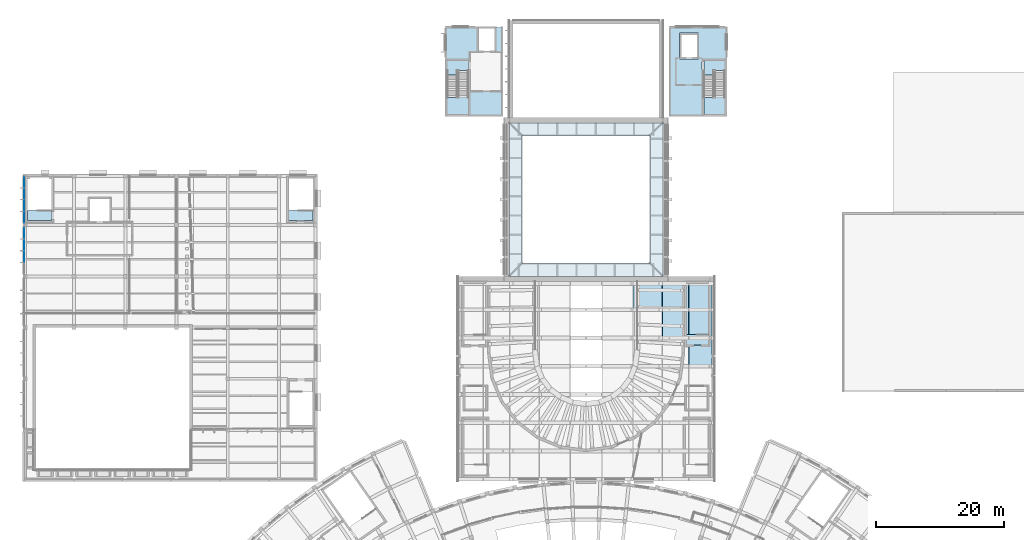
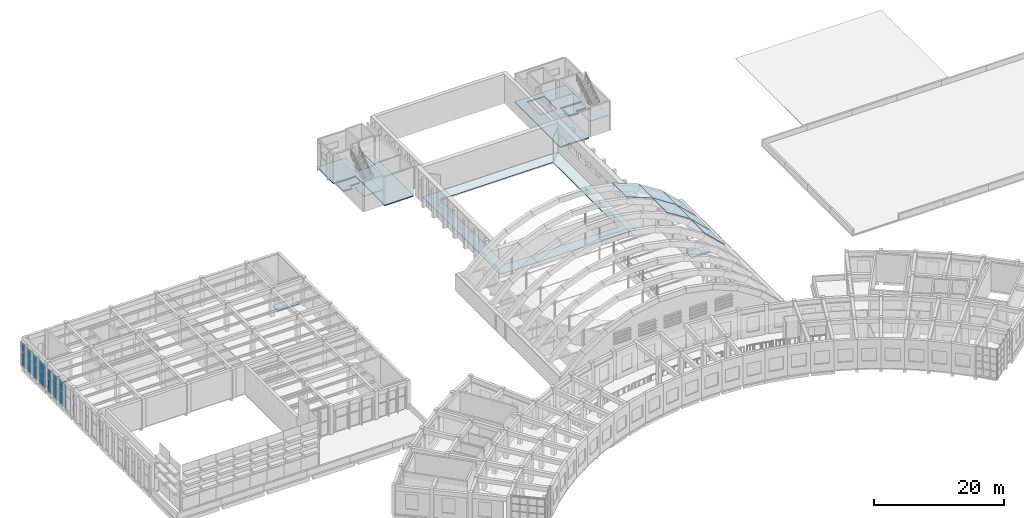
# One storey, part 57 of 94: 16 slabs, 14 plates, 4 elements without a shape of their own.
"""IFC4 building model written with IfcOpenShell, lengths in metres."""

from ifc_helpers import new_model, si_unit, direction, frame, origin, origin_2d, place, context, subcontext, project, spatial, polyline, rectangle, outline, extrude, material, layer, layer_set, type_object, element, aggregate, save


model = new_model("IFC4")

# Units and contexts
model_context = context("Model", 3, precision=1e-05, world=origin(), true_north=direction((0.0, 1.0)))
body_context = subcontext(model_context, "Body", "Model", "MODEL_VIEW")
ifc_project = project(units=[si_unit("LENGTHUNIT", "METRE"), si_unit("AREAUNIT", "SQUARE_METRE"), si_unit("VOLUMEUNIT", "CUBIC_METRE"), si_unit("PLANEANGLEUNIT", "RADIAN"), si_unit("MASSUNIT", "GRAM", prefix="KILO")], contexts=[model_context])

# Site, building, storey
site_placement = place(None, origin())
site = spatial("IfcSite", under=ifc_project, at=site_placement, CompositionType="ELEMENT")
building_placement = place(site_placement, origin())
building = spatial("IfcBuilding", under=site, at=building_placement, Name="Lunette Opera House", CompositionType="ELEMENT")
storey_placement = place(building_placement, frame((0.0, 0.0, 22.5)))
storey = spatial("IfcBuildingStorey", under=building, at=storey_placement, Name="L04", CompositionType="ELEMENT", Elevation=22.5)

# Slabs
ifc_material_1 = material(Name="Concrete C35/45", Category="concrete")
ifc_layer_1 = layer(ifc_material_1, 0.199951171875)
ifc_layer_set_1 = layer_set([ifc_layer_1], Name="Concrete C35/45")
slab_type_1 = type_object("IfcSlabType", Name="CORE LANDING SLAB 200", PredefinedType="LANDING", material=ifc_layer_set_1)
slab_1_placement = place(storey_placement, frame((0.0, 0.0, -0.199951171875)))
element("IfcSlab", 1, at=slab_1_placement, inside=storey, type_object=slab_type_1, Name="ST15 floor landing", PredefinedType="LANDING", context=body_context, shape_type="SweptSolid", body=[
    extrude(outline(polyline([(8.699951171875, 106.31005859375), (10.300048828125, 106.31005859375), (10.300048828125, 106.300048828125), (12.5, 106.300048828125), (12.5, 104.699951171875), (8.699951171875, 104.699951171875), (8.699951171875, 106.31005859375)])), origin(), (0.0, 0.0, 1.0), 0.199951171875),
])
slab_2_placement = place(storey_placement, frame((0.0, 0.0, -0.199951171875)))
element("IfcSlab", 2, at=slab_2_placement, inside=storey, type_object=slab_type_1, Name="ST17 floor landing", PredefinedType="LANDING", context=body_context, shape_type="SweptSolid", body=[
    extrude(outline(polyline([(53.3349609375, 106.300048828125), (53.3349609375, 104.699951171875), (49.5, 104.699951171875), (49.5, 106.31005859375), (51.10009765625, 106.31005859375), (51.10009765625, 106.300048828125), (53.3349609375, 106.300048828125)])), origin(), (0.0, 0.0, 1.0), 0.199951171875),
])
ifc_material_2 = material(Name="Concrete C35/45", Category="concrete")
ifc_layer_2 = layer(ifc_material_2, 0.219970703125)
ifc_layer_set_2 = layer_set([ifc_layer_2], Name="Concrete C35/45")
slab_type_2 = type_object("IfcSlabType", Name="CORE LANDING SLAB 220", PredefinedType="LANDING", material=ifc_layer_set_2)
slab_3_placement = place(storey_placement, frame((0.0, 0.0, -0.219970703125)))
element("IfcSlab", 3, at=slab_3_placement, inside=storey, type_object=slab_type_2, Name="ST11 floor landing", PredefinedType="LANDING", context=body_context, shape_type="SweptSolid", body=[
    extrude(outline(polyline([(77.60009765625, 129.699951171875), (77.60009765625, 128.139892578125), (76.050048828125, 128.139892578125), (76.050048828125, 128.14990234375), (75.85009765625, 128.14990234375), (75.85009765625, 127.449951171875), (74.300048828125, 127.449951171875), (74.300048828125, 129.699951171875), (77.60009765625, 129.699951171875)])), origin(), (0.0, 0.0, 1.0), 0.219970703125),
])
slab_4_placement = place(storey_placement, frame((0.0, 0.0, -0.219970703125)))
element("IfcSlab", 4, at=slab_4_placement, inside=storey, type_object=slab_type_2, Name="ST12 floor landing", PredefinedType="LANDING", context=body_context, shape_type="SweptSolid", body=[
    extrude(outline(polyline([(117.699951171875, 128.139892578125), (116.14990234375, 128.139892578125), (116.14990234375, 128.14990234375), (115.949951171875, 128.14990234375), (115.949951171875, 127.449951171875), (114.39990234375, 127.449951171875), (114.39990234375, 129.699951171875), (117.699951171875, 129.699951171875), (117.699951171875, 128.139892578125)])), origin(), (0.0, 0.0, 1.0), 0.219970703125),
])
ifc_material_3 = material(Name="Concrete C35/45", Category="concrete")
ifc_layer_3 = layer(ifc_material_3, 0.300048828125)
ifc_layer_set_3 = layer_set([ifc_layer_3], Name="Concrete C35/45")
slab_type_3 = type_object("IfcSlabType", Name="CORE LANDING SLAB 300", PredefinedType="LANDING", material=ifc_layer_set_3)
slab_5_placement = place(storey_placement, frame((0.0, 0.0, -0.300048828125)))
element("IfcSlab", 5, at=slab_5_placement, inside=storey, type_object=slab_type_3, Name="ST9 floor landing", PredefinedType="LANDING", context=body_context, shape_type="SweptSolid", body=[
    extrude(outline(polyline([(115.10009765625, 86.919921875), (115.10009765625, 85.300048828125), (111.699951171875, 85.300048828125), (111.699951171875, 86.929931640625), (113.320068359375, 86.929931640625), (113.320068359375, 86.919921875), (115.10009765625, 86.919921875)])), origin(), (0.0, 0.0, 1.0), 0.300048828125),
])

# Curtain wall, plates
ifc_material_4 = material(Name="Aluminium", Category="aluminium")
ifc_layer_4 = layer(ifc_material_4, 0.179931640625)
ifc_layer_set_4 = layer_set([ifc_layer_4], Name="Aluminium")
curtain_wall_type = type_object("IfcCurtainWallType", Name="SUN FACE CURTAIN WALL", PredefinedType="NOTDEFINED", material=ifc_layer_set_4)
curtain_wall_1_placement = place(storey_placement, origin())
curtain_wall_1 = element("IfcCurtainWall", 6, at=curtain_wall_1_placement, inside=storey, type_object=curtain_wall_type, Name="Sun Face Curtain Wall F15 L04", PredefinedType="NOTDEFINED")
ifc_material_5 = material(Name="Laminated glass", Category="glass")
ifc_layer_5 = layer(ifc_material_5, 0.028076171875)
ifc_layer_set_5 = layer_set([ifc_layer_5], Name="Laminated glass")
plate_type = type_object("IfcPlateType", Name="CURTAIN PANEL LAMINATED GLASS 28", PredefinedType="CURTAIN_PANEL", material=ifc_layer_set_5)
plate_1_placement = place(storey_placement, frame((8.181884765625, 110.706787109375, 0.06005859375), z_axis=(0.0, 0.0, 1.0), x_axis=(0.0, -1.0, 0.0)))
plate_1 = element("IfcPlate", 7, at=plate_1_placement, type_object=plate_type, Name="RW-X2061 panel 1.1", PredefinedType="CURTAIN_PANEL", context=body_context, shape_type="SweptSolid", body=[
    extrude(rectangle(XDim=1.736328125, YDim=0.028076171875, at=origin_2d()), origin(), (0.0, 0.0, 1.0), 2.534912109375),
])
plate_2_placement = place(storey_placement, frame((8.181884765625, 110.706787109375, 2.65478515625), z_axis=(0.0, 0.0, 1.0), x_axis=(0.0, -1.0, 0.0)))
plate_2 = element("IfcPlate", 8, at=plate_2_placement, type_object=plate_type, Name="RW-X2061 panel 1.2", PredefinedType="CURTAIN_PANEL", context=body_context, shape_type="SweptSolid", body=[
    extrude(rectangle(XDim=1.736328125, YDim=0.028076171875, at=origin_2d()), origin(), (0.0, 0.0, 1.0), 1.735107421875),
])
plate_3_placement = place(storey_placement, frame((8.181884765625, 108.8955078125, 0.06005859375), z_axis=(0.0, 0.0, 1.0), x_axis=(0.0, -1.0, 0.0)))
plate_3 = element("IfcPlate", 9, at=plate_3_placement, type_object=plate_type, Name="RW-X2061 panel 2.1", PredefinedType="CURTAIN_PANEL", context=body_context, shape_type="SweptSolid", body=[
    extrude(rectangle(XDim=1.766357421875, YDim=0.028076171875, at=origin_2d()), origin(), (0.0, 0.0, 1.0), 2.534912109375),
])
plate_4_placement = place(storey_placement, frame((8.181884765625, 108.8955078125, 2.65478515625), z_axis=(0.0, 0.0, 1.0), x_axis=(0.0, -1.0, 0.0)))
plate_4 = element("IfcPlate", 10, at=plate_4_placement, type_object=plate_type, Name="RW-X2061 panel 2.2", PredefinedType="CURTAIN_PANEL", context=body_context, shape_type="SweptSolid", body=[
    extrude(rectangle(XDim=1.766357421875, YDim=0.028076171875, at=origin_2d()), origin(), (0.0, 0.0, 1.0), 1.735107421875),
])
plate_5_placement = place(storey_placement, frame((8.181884765625, 107.0693359375, 0.06005859375), z_axis=(0.0, 0.0, 1.0), x_axis=(0.0, -1.0, 0.0)))
plate_5 = element("IfcPlate", 11, at=plate_5_placement, type_object=plate_type, Name="RW-X2061 panel 3.1", PredefinedType="CURTAIN_PANEL", context=body_context, shape_type="SweptSolid", body=[
    extrude(rectangle(XDim=1.766357421875, YDim=0.028076171875, at=origin_2d()), origin(), (0.0, 0.0, 1.0), 2.534912109375),
])
plate_6_placement = place(storey_placement, frame((8.181884765625, 107.0693359375, 2.65478515625), z_axis=(0.0, 0.0, 1.0), x_axis=(0.0, -1.0, 0.0)))
plate_6 = element("IfcPlate", 12, at=plate_6_placement, type_object=plate_type, Name="RW-X2061 panel 3.2", PredefinedType="CURTAIN_PANEL", context=body_context, shape_type="SweptSolid", body=[
    extrude(rectangle(XDim=1.766357421875, YDim=0.028076171875, at=origin_2d()), origin(), (0.0, 0.0, 1.0), 1.735107421875),
])
plate_7_placement = place(storey_placement, frame((8.181884765625, 105.258056640625, 0.06005859375), z_axis=(0.0, 0.0, 1.0), x_axis=(0.0, -1.0, 0.0)))
plate_7 = element("IfcPlate", 13, at=plate_7_placement, type_object=plate_type, Name="RW-X2061 panel 4.1", PredefinedType="CURTAIN_PANEL", context=body_context, shape_type="SweptSolid", body=[
    extrude(rectangle(XDim=1.736328125, YDim=0.028076171875, at=origin_2d()), origin(), (0.0, 0.0, 1.0), 2.534912109375),
])
plate_8_placement = place(storey_placement, frame((8.181884765625, 105.258056640625, 2.65478515625), z_axis=(0.0, 0.0, 1.0), x_axis=(0.0, -1.0, 0.0)))
plate_8 = element("IfcPlate", 14, at=plate_8_placement, type_object=plate_type, Name="RW-X2061 panel 4.2", PredefinedType="CURTAIN_PANEL", context=body_context, shape_type="SweptSolid", body=[
    extrude(rectangle(XDim=1.736328125, YDim=0.028076171875, at=origin_2d()), origin(), (0.0, 0.0, 1.0), 1.735107421875),
])
aggregate(curtain_wall_1, [plate_1, plate_2, plate_3, plate_4, plate_5, plate_6, plate_7, plate_8])

curtain_wall_2_placement = place(storey_placement, origin())
curtain_wall_2 = element("IfcCurtainWall", 15, at=curtain_wall_2_placement, inside=storey, type_object=curtain_wall_type, Name="Sun Face Curtain Wall F16 L04", PredefinedType="NOTDEFINED")
plate_9_placement = place(storey_placement, frame((8.181884765625, 102.737548828125, 0.06005859375), z_axis=(0.0, 0.0, 1.0), x_axis=(0.0, -1.0, 0.0)))
plate_9 = element("IfcPlate", 16, at=plate_9_placement, type_object=plate_type, Name="RW-X2062 panel 1.1", PredefinedType="CURTAIN_PANEL", context=body_context, shape_type="SweptSolid", body=[
    extrude(rectangle(XDim=1.7451171875, YDim=0.028076171875, at=origin_2d()), origin(), (0.0, 0.0, 1.0), 2.534912109375),
])
plate_10_placement = place(storey_placement, frame((8.181884765625, 102.737548828125, 2.65478515625), z_axis=(0.0, 0.0, 1.0), x_axis=(0.0, -1.0, 0.0)))
plate_10 = element("IfcPlate", 17, at=plate_10_placement, type_object=plate_type, Name="RW-X2062 panel 1.2", PredefinedType="CURTAIN_PANEL", context=body_context, shape_type="SweptSolid", body=[
    extrude(rectangle(XDim=1.7451171875, YDim=0.028076171875, at=origin_2d()), origin(), (0.0, 0.0, 1.0), 1.735107421875),
])
plate_11_placement = place(storey_placement, frame((8.181884765625, 100.91748046875, 0.06005859375), z_axis=(0.0, 0.0, 1.0), x_axis=(0.0, -1.0, 0.0)))
plate_11 = element("IfcPlate", 18, at=plate_11_placement, type_object=plate_type, Name="RW-X2062 panel 2.1", PredefinedType="CURTAIN_PANEL", context=body_context, shape_type="SweptSolid", body=[
    extrude(rectangle(XDim=1.77490234375, YDim=0.028076171875, at=origin_2d()), origin(), (0.0, 0.0, 1.0), 2.534912109375),
])
plate_12_placement = place(storey_placement, frame((8.181884765625, 100.91748046875, 2.65478515625), z_axis=(0.0, 0.0, 1.0), x_axis=(0.0, -1.0, 0.0)))
plate_12 = element("IfcPlate", 19, at=plate_12_placement, type_object=plate_type, Name="RW-X2062 panel 2.2", PredefinedType="CURTAIN_PANEL", context=body_context, shape_type="SweptSolid", body=[
    extrude(rectangle(XDim=1.77490234375, YDim=0.028076171875, at=origin_2d()), origin(), (0.0, 0.0, 1.0), 1.735107421875),
])
plate_13_placement = place(storey_placement, frame((8.181884765625, 99.08251953125, 0.06005859375), z_axis=(0.0, 0.0, 1.0), x_axis=(0.0, -1.0, 0.0)))
plate_13 = element("IfcPlate", 20, at=plate_13_placement, type_object=plate_type, Name="RW-X2062 panel 3.1", PredefinedType="CURTAIN_PANEL", context=body_context, shape_type="SweptSolid", body=[
    extrude(rectangle(XDim=1.77490234375, YDim=0.028076171875, at=origin_2d()), origin(), (0.0, 0.0, 1.0), 2.534912109375),
])
plate_14_placement = place(storey_placement, frame((8.181884765625, 99.08251953125, 2.65478515625), z_axis=(0.0, 0.0, 1.0), x_axis=(0.0, -1.0, 0.0)))
plate_14 = element("IfcPlate", 21, at=plate_14_placement, type_object=plate_type, Name="RW-X2062 panel 3.2", PredefinedType="CURTAIN_PANEL", context=body_context, shape_type="SweptSolid", body=[
    extrude(rectangle(XDim=1.77490234375, YDim=0.028076171875, at=origin_2d()), origin(), (0.0, 0.0, 1.0), 1.735107421875),
])
aggregate(curtain_wall_2, [plate_9, plate_10, plate_11, plate_12, plate_13, plate_14])

# Slabs
ifc_material_6 = material(Name="Concrete C35/45", Category="concrete")
ifc_layer_6 = layer(ifc_material_6, 0.219970703125)
ifc_layer_set_6 = layer_set([ifc_layer_6], Name="Concrete C35/45")
slab_type_4 = type_object("IfcSlabType", Name="FLOOR SLAB 220", PredefinedType="FLOOR", material=ifc_layer_set_6)
slab_6_placement = place(storey_placement, frame((0.0, 0.0, -0.219970703125)))
element("IfcSlab", 22, at=slab_6_placement, inside=storey, type_object=slab_type_4, Name="slab-ST-L04-F1", PredefinedType="FLOOR", context=body_context, shape_type="SweptSolid", body=[
    extrude(outline(polyline([(78.949951171875, 135.0), (74.0, 135.0), (74.0, 130.0), (77.89990234375, 130.0), (77.89990234375, 121.0), (83.0, 121.0), (83.0, 135.0), (81.949951171875, 135.0), (81.949951171875, 131.0), (78.949951171875, 131.0), (78.949951171875, 135.0)])), origin(), (0.0, 0.0, 1.0), 0.219970703125),
])
slab_7_placement = place(storey_placement, frame((0.0, 0.0, -0.219970703125)))
element("IfcSlab", 23, at=slab_7_placement, inside=storey, type_object=slab_type_4, Name="slab-ST-L04-F2", PredefinedType="FLOOR", context=body_context, shape_type="SweptSolid", body=[
    extrude(outline(polyline([(109.0, 121.0), (114.10009765625, 121.0), (114.10009765625, 130.0), (118.0, 130.0), (118.0, 135.0), (109.0, 135.0), (109.0, 121.0)]), holes=[polyline([(110.60009765625, 130.0), (110.60009765625, 134.0), (113.60009765625, 134.0), (113.60009765625, 130.0), (110.60009765625, 130.0)])]), origin(), (0.0, 0.0, 1.0), 0.219970703125),
])
ifc_material_7 = material(Name="Steel S235 grating", Category="steel")
ifc_layer_7 = layer(ifc_material_7, 0.06005859375)
ifc_layer_set_7 = layer_set([ifc_layer_7], Name="Steel S235 grating")
slab_type_5 = type_object("IfcSlabType", Name="GALLERY GRATING 60", PredefinedType="LANDING", material=ifc_layer_set_7)
slab_8_placement = place(storey_placement, frame((0.0, 0.0, -0.06005859375)))
element("IfcSlab", 24, at=slab_8_placement, inside=storey, type_object=slab_type_5, Name="slab-ST-L04-FG3-1", PredefinedType="LANDING", context=body_context, shape_type="SweptSolid", body=[
    extrude(outline(polyline([(84.0, 96.0), (108.0, 96.0), (108.0, 120.0), (84.0, 120.0), (84.0, 96.0)]), holes=[polyline([(106.0, 118.0), (106.0, 98.0), (86.0, 98.0), (86.0, 118.0), (106.0, 118.0)])]), origin(), (0.0, 0.0, 1.0), 0.06005859375),
])
ifc_material_8 = material(Name="Concrete C40/50", Category="concrete")
ifc_layer_8 = layer(ifc_material_8, 0.1201171875)
ifc_layer_set_8 = layer_set([ifc_layer_8], Name="Concrete C40/50")
slab_type_6 = type_object("IfcSlabType", Name="SHELL STRIP 120", PredefinedType="ROOF", material=ifc_layer_set_8)
slab_9_placement = place(storey_placement, frame((112.114013671875, 81.95703125, 6.4208984375), z_axis=(0.690260134545, 0.0, 0.723561294333), x_axis=(0.723561294333, 0.0, -0.690260134545)))
element("IfcSlab", 25, at=slab_9_placement, inside=storey, type_object=slab_type_6, Name="slab-AU-L04-BS5-9", PredefinedType="ROOF", context=body_context, shape_type="SweptSolid", body=[
    extrude(outline(polyline([(0.0, 0.0), (4.955955394633429, 0.0), (4.955955394633429, 4.4140625), (0.0, 4.4140625), (0.0, 0.0)])), origin(), (0.0, 0.0, -1.0), 0.1201171875),
])
slab_10_placement = place(storey_placement, frame((107.945068359375, 86.37109375, 9.10107421875), z_axis=(0.540777508608, 0.0, 0.841165671068), x_axis=(0.841165671068, 0.0, -0.540777508608)))
element("IfcSlab", 26, at=slab_10_placement, inside=storey, type_object=slab_type_6, Name="slab-AU-L04-BS6-8", PredefinedType="ROOF", context=body_context, shape_type="SweptSolid", body=[
    extrude(outline(polyline([(0.0, 0.0), (4.956152463051835, 0.0), (4.956152463051835, 4.414794921875), (0.0, 4.414794921875), (0.0, 0.0)])), origin(), (0.0, 0.0, -1.0), 0.1201171875),
])
slab_11_placement = place(storey_placement, frame((112.114013671875, 86.37109375, 6.4208984375), z_axis=(0.690260134545, 0.0, 0.723561294333), x_axis=(0.723561294333, 0.0, -0.690260134545)))
element("IfcSlab", 27, at=slab_11_placement, inside=storey, type_object=slab_type_6, Name="slab-AU-L04-BS6-9", PredefinedType="ROOF", context=body_context, shape_type="SweptSolid", body=[
    extrude(outline(polyline([(0.0, 0.0), (4.955955394633429, 0.0), (4.955955394633429, 4.414794921874999), (0.0, 4.414794921874999), (0.0, 0.0)])), origin(), (0.0, 0.0, -1.0), 0.1201171875),
])
slab_12_placement = place(storey_placement, frame((103.343994140625, 90.785888671875, 10.944091796875), z_axis=(0.371840739354, 0.0, 0.928296539128), x_axis=(0.928296539128, 0.0, -0.371840739354)))
element("IfcSlab", 28, at=slab_12_placement, inside=storey, type_object=slab_type_6, Name="slab-AU-L04-BS7-7", PredefinedType="ROOF", context=body_context, shape_type="SweptSolid", body=[
    extrude(outline(polyline([(0.0, 0.0), (4.9564702924282384, 0.0), (4.9564702924282384, 4.4140625), (0.0, 4.4140625), (0.0, 0.0)])), origin(), (0.0, 0.0, -1.0), 0.1201171875),
])
slab_13_placement = place(storey_placement, frame((107.945068359375, 90.785888671875, 9.10107421875), z_axis=(0.540777508608, 0.0, 0.841165671068), x_axis=(0.841165671068, 0.0, -0.540777508608)))
element("IfcSlab", 29, at=slab_13_placement, inside=storey, type_object=slab_type_6, Name="slab-AU-L04-BS7-8", PredefinedType="ROOF", context=body_context, shape_type="SweptSolid", body=[
    extrude(outline(polyline([(0.0, 0.0), (4.956152463051835, 0.0), (4.956152463051835, 4.4140625), (0.0, 4.4140625), (0.0, 0.0)])), origin(), (0.0, 0.0, -1.0), 0.1201171875),
])
slab_14_placement = place(storey_placement, frame((112.114013671875, 90.785888671875, 6.4208984375), z_axis=(0.690260134545, 0.0, 0.723561294333), x_axis=(0.723561294333, 0.0, -0.690260134545)))
element("IfcSlab", 30, at=slab_14_placement, inside=storey, type_object=slab_type_6, Name="slab-AU-L04-BS7-9", PredefinedType="ROOF", context=body_context, shape_type="SweptSolid", body=[
    extrude(outline(polyline([(0.0, 0.0), (4.955955394633429, 0.0), (4.955955394633429, 4.4140625), (0.0, 4.4140625), (0.0, 0.0)])), origin(), (0.0, 0.0, -1.0), 0.1201171875),
])

# Stair, slab
ifc_material_9 = material(Name="Concrete C35/45", Category="concrete")
stair_type = type_object("IfcStairType", Name="DOGLEG STAIR 1550", PredefinedType="HALF_TURN_STAIR", material=ifc_material_9)
stair_1_placement = place(storey_placement, origin())
stair_1 = element("IfcStair", 31, at=stair_1_placement, inside=storey, type_object=stair_type, Name="L04 stair ST11", PredefinedType="HALF_TURN_STAIR")
ifc_material_10 = material(Name="Concrete C35/45", Category="concrete")
ifc_layer_9 = layer(ifc_material_10, 0.199951171875)
ifc_layer_set_9 = layer_set([ifc_layer_9], Name="Concrete C35/45")
slab_type_7 = type_object("IfcSlabType", Name="STAIR LANDING SLAB 200", PredefinedType="LANDING", material=ifc_layer_set_9)
slab_15_placement = place(storey_placement, frame((0.0, 0.0, 2.550048828125)))
slab_15 = element("IfcSlab", 32, at=slab_15_placement, type_object=slab_type_7, Name="ST11 landing 1", PredefinedType="LANDING", context=body_context, shape_type="SweptSolid", body=[
    extrude(outline(polyline([(74.300048828125, 121.300048828125), (74.300048828125, 123.9599609375), (75.85009765625, 123.9599609375), (75.85009765625, 123.949951171875), (76.050048828125, 123.949951171875), (76.050048828125, 124.64990234375), (77.60009765625, 124.64990234375), (77.60009765625, 121.300048828125), (74.300048828125, 121.300048828125)])), origin(), (0.0, 0.0, 1.0), 0.199951171875),
])
aggregate(stair_1, [slab_15])

stair_2_placement = place(storey_placement, origin())
stair_2 = element("IfcStair", 33, at=stair_2_placement, inside=storey, type_object=stair_type, Name="L04 stair ST12", PredefinedType="HALF_TURN_STAIR")
slab_16_placement = place(storey_placement, frame((0.0, 0.0, 2.550048828125)))
slab_16 = element("IfcSlab", 34, at=slab_16_placement, type_object=slab_type_7, Name="ST12 landing 1", PredefinedType="LANDING", context=body_context, shape_type="SweptSolid", body=[
    extrude(outline(polyline([(114.39990234375, 121.300048828125), (114.39990234375, 123.9599609375), (115.949951171875, 123.9599609375), (115.949951171875, 123.949951171875), (116.14990234375, 123.949951171875), (116.14990234375, 124.64990234375), (117.699951171875, 124.64990234375), (117.699951171875, 121.300048828125), (114.39990234375, 121.300048828125)])), origin(), (0.0, 0.0, 1.0), 0.199951171875),
])
aggregate(stair_2, [slab_16])

save(model, "model.ifc")
